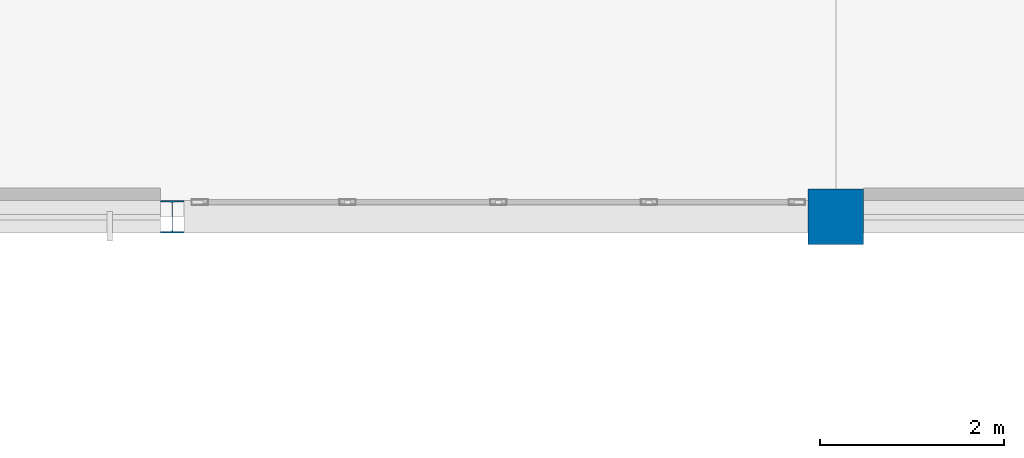
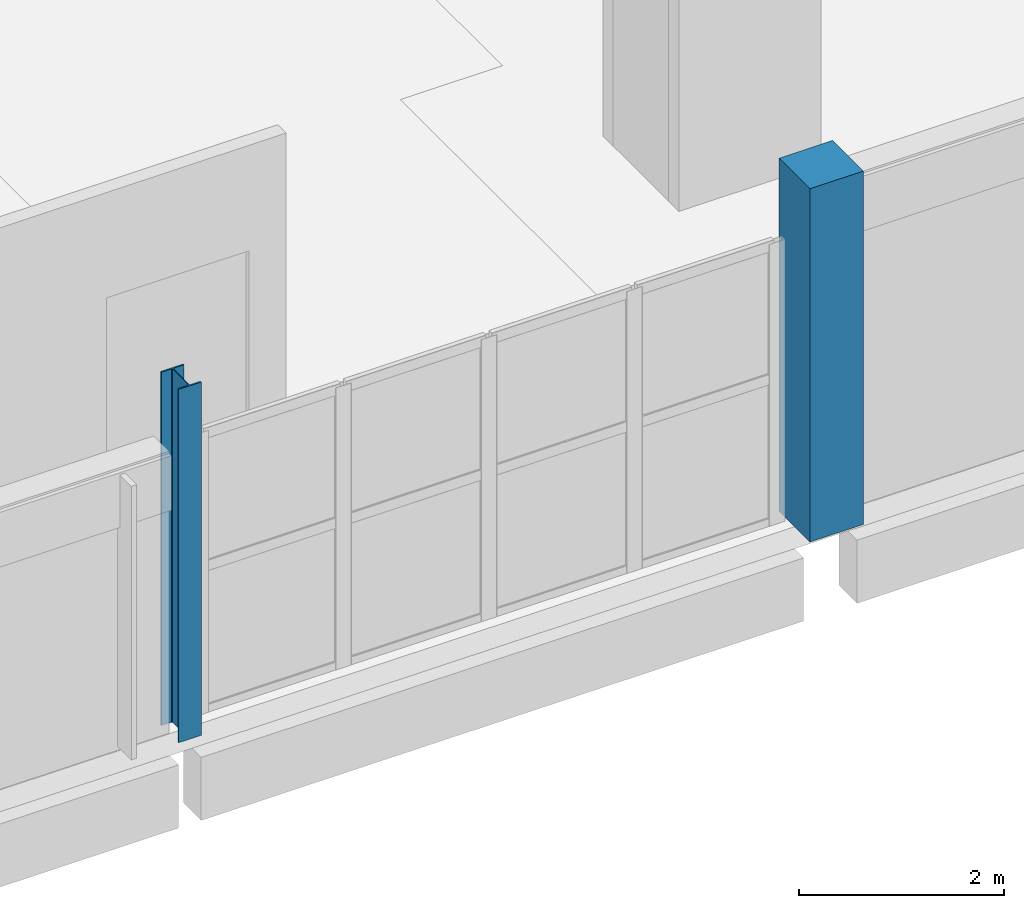
# One storey, part 9 of 94: 2 columns.
"""IFC4 building model written with IfcOpenShell, lengths in metres."""

from ifc_helpers import new_model, si_unit, direction, frame, origin, origin_2d, place, context, subcontext, project, spatial, rectangle, i_section, extrude, material, material_profile, profile_set, type_object, element, save


model = new_model("IFC4")

# Units and contexts
model_context = context("Model", 3, precision=1e-05, world=origin(), true_north=direction((0.0, 1.0)))
body_context = subcontext(model_context, "Body", "Model", "MODEL_VIEW")
ifc_project = project(units=[si_unit("LENGTHUNIT", "METRE"), si_unit("AREAUNIT", "SQUARE_METRE"), si_unit("VOLUMEUNIT", "CUBIC_METRE"), si_unit("PLANEANGLEUNIT", "RADIAN"), si_unit("MASSUNIT", "GRAM", prefix="KILO")], contexts=[model_context])

# Site, building, storey
site_placement = place(None, origin())
site = spatial("IfcSite", under=ifc_project, at=site_placement, CompositionType="ELEMENT")
building_placement = place(site_placement, origin())
building = spatial("IfcBuilding", under=site, at=building_placement, Name="Kalmorath City Hall", CompositionType="ELEMENT")
storey_placement = place(building_placement, frame((0.0, 0.0, 14.699951171875)))
storey = spatial("IfcBuildingStorey", under=building, at=storey_placement, Name="L03", CompositionType="ELEMENT", Elevation=14.699951171875)

# Columns
ifc_material_1 = material(Name="Concrete C50/60", Category="concrete")
ifc_material_profile_1 = material_profile(ifc_material_1, rectangle(XDim=0.60009765625, YDim=0.60009765625, at=origin_2d()), Name="RC-COL-600X600")
ifc_profile_set_1 = profile_set([ifc_material_profile_1], Name="Concrete C50/60")
column_type_1 = type_object("IfcColumnType", Name="Concrete column 600x600", PredefinedType="COLUMN", material=ifc_profile_set_1)
column_1_placement = place(storey_placement, frame((57.60009765625, 93.60009765625, 0.0), z_axis=(0.0, 0.0, 1.0), x_axis=(1.0, 0.0, 0.0)))
element("IfcColumn", 1, at=column_1_placement, inside=storey, type_object=column_type_1, Name="L03 column C6 (9/14)", PredefinedType="COLUMN", context=body_context, shape_type="SweptSolid", body=[
    extrude(rectangle(XDim=0.60009765625, YDim=0.60009765625, at=origin_2d()), origin(), (0.0, 0.0, 1.0), 4.199951171875),
])
ifc_material_2 = material(Name="Steel ASTM A992 Grade 50", Category="steel")
ifc_material_profile_2 = material_profile(ifc_material_2, i_section(OverallWidth=0.25390625, OverallDepth=0.35302734375, WebThickness=0.009521484375, FlangeThickness=0.016357421875, FilletRadius=0.014892578125, at=origin_2d()), Name="W14X61")
ifc_profile_set_2 = profile_set([ifc_material_profile_2], Name="Steel ASTM A992 Grade 50")
column_type_2 = type_object("IfcColumnType", Name="Steel wide-flange column W14X61", PredefinedType="COLUMN", material=ifc_profile_set_2)
column_2_placement = place(storey_placement, frame((50.39990234375, 93.60009765625, 0.0), z_axis=(0.0, 0.0, 1.0), x_axis=(1.0, 0.0, 0.0)))
element("IfcColumn", 2, at=column_2_placement, inside=storey, type_object=column_type_2, Name="L03 column SC1 (8/14)", PredefinedType="COLUMN", context=body_context, shape_type="SweptSolid", body=[
    extrude(i_section(OverallWidth=0.25390625, OverallDepth=0.35302734375, WebThickness=0.009521484375, FlangeThickness=0.016357421875, FilletRadius=0.014892578125, at=origin_2d()), origin(), (0.0, 0.0, 1.0), 4.199951171875),
])

save(model, "model.ifc")
